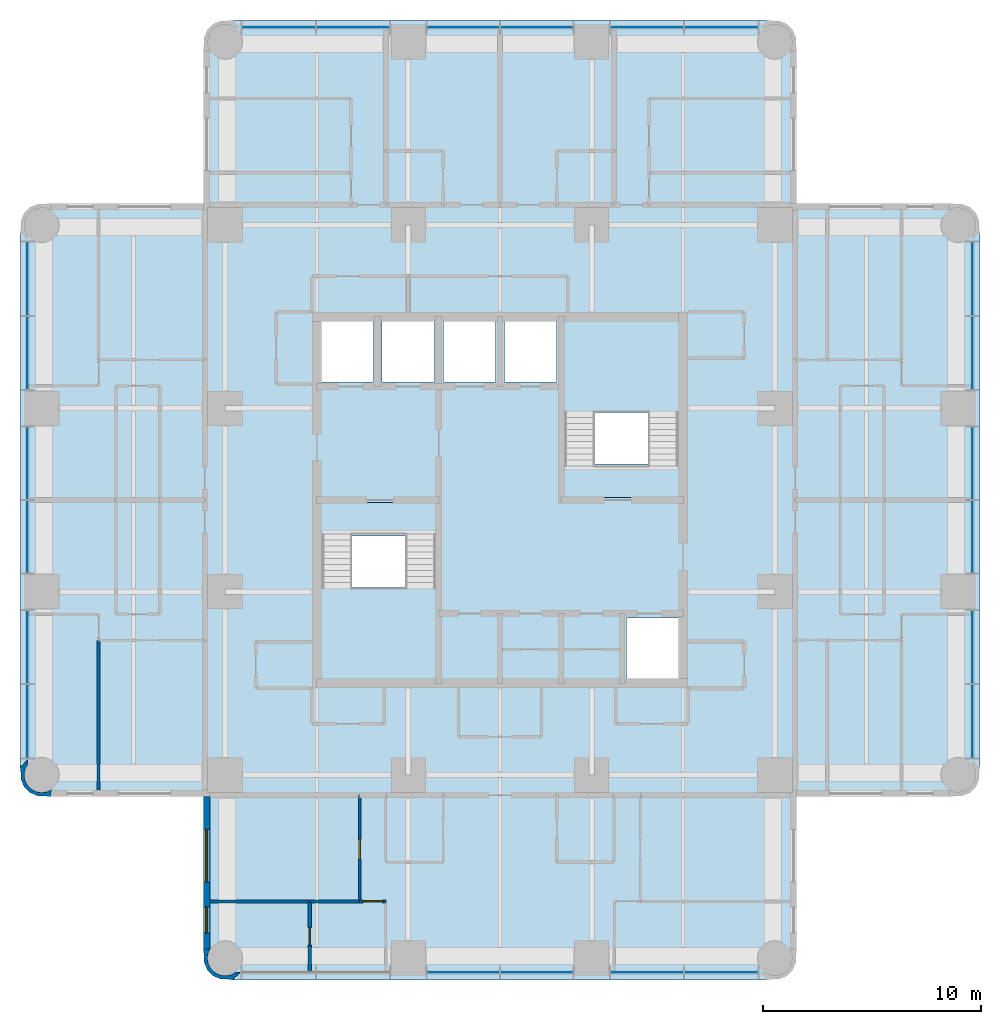
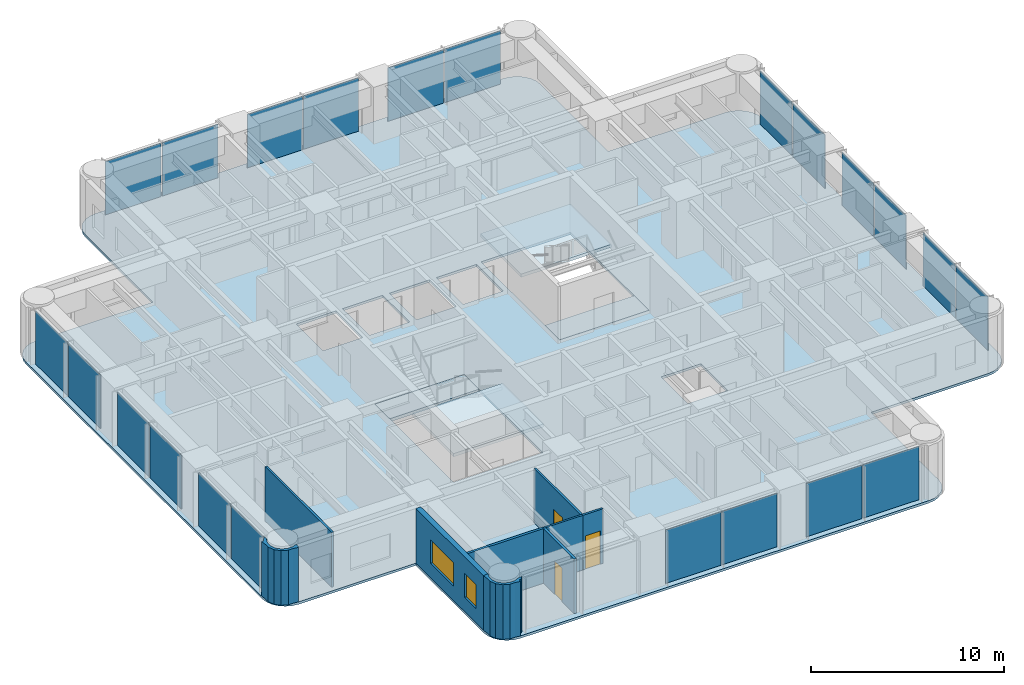
# One storey, part 3 of 10: 22 plates, 9 walls, 5 slabs, 3 doors, 2 windows, 5 openings, 6 elements without a shape of their own.
"""IFC4 building model written with IfcOpenShell, lengths in metres."""

from ifc_helpers import new_model, si_unit, direction, frame, frame_2d, origin, origin_2d, place, context, subcontext, project, spatial, polyline, rectangle, outline, extrude, material, layer, layer_set, type_object, element, fill, aggregate, save


model = new_model("IFC4")

# Units and contexts
model_context = context("Model", 3, precision=1e-05, world=origin(), true_north=direction((0.0, 1.0)))
body_context = subcontext(model_context, "Body", "Model", "MODEL_VIEW")
ifc_project = project(units=[si_unit("LENGTHUNIT", "METRE"), si_unit("AREAUNIT", "SQUARE_METRE"), si_unit("VOLUMEUNIT", "CUBIC_METRE"), si_unit("PLANEANGLEUNIT", "RADIAN"), si_unit("MASSUNIT", "GRAM", prefix="KILO")], contexts=[model_context])

# Site, building, storey
site_placement = place(None, origin())
site = spatial("IfcSite", under=ifc_project, at=site_placement, CompositionType="ELEMENT")
building_placement = place(site_placement, origin())
building = spatial("IfcBuilding", under=site, at=building_placement, Name="Torre Alcanfor", CompositionType="ELEMENT")
storey_placement = place(building_placement, frame((0.0, 0.0, 257.699951171875)))
storey = spatial("IfcBuildingStorey", under=building, at=storey_placement, Name="L67", CompositionType="ELEMENT", Elevation=257.699951171875)

# Curtain wall, plates
ifc_material_1 = material(Name="Aluminium and glass", Category="aluminium")
curtain_wall_type = type_object("IfcCurtainWallType", Name="CW-A unitised apartment glazing with vertical FIN", PredefinedType="NOTDEFINED", material=ifc_material_1)
curtain_wall_1_placement = place(storey_placement, origin())
curtain_wall_1 = element("IfcCurtainWall", 1, at=curtain_wall_1_placement, inside=storey, type_object=curtain_wall_type, Name="Curtain wall CW-A L67 2", PredefinedType="NOTDEFINED")
ifc_material_2 = material(Name="Glass", Category="glass")
ifc_layer_1 = layer(ifc_material_2, 0.028076171875)
ifc_layer_set_1 = layer_set([ifc_layer_1], Name="CW-A clear double glazed unit")
plate_type = type_object("IfcPlateType", Name="CW-A clear double glazed unit", PredefinedType="CURTAIN_PANEL", material=ifc_layer_set_1)
plate_1_placement = place(storey_placement, frame((7.75, 39.541259765625, 0.0), z_axis=(0.0, 0.0, 1.0), x_axis=(0.0, -1.0, 0.0)))
plate_1 = element("IfcPlate", 2, at=plate_1_placement, type_object=plate_type, Name="CW-A panel 1.1.1", PredefinedType="CURTAIN_PANEL", context=body_context, shape_type="SweptSolid", body=[
    extrude(rectangle(XDim=3.337646484375, YDim=0.028076171875, at=origin_2d()), origin(), (0.0, 0.0, 1.0), 3.385009765625),
])
plate_2_placement = place(storey_placement, frame((7.75, 36.138671875, 0.0), z_axis=(0.0, 0.0, 1.0), x_axis=(0.0, -1.0, 0.0)))
plate_2 = element("IfcPlate", 3, at=plate_2_placement, type_object=plate_type, Name="CW-A panel 1.2.1", PredefinedType="CURTAIN_PANEL", context=body_context, shape_type="SweptSolid", body=[
    extrude(rectangle(XDim=3.337646484375, YDim=0.028076171875, at=origin_2d()), origin(), (0.0, 0.0, 1.0), 3.385009765625),
])
plate_3_placement = place(storey_placement, frame((7.75, 31.081298828125, 0.0), z_axis=(0.0, 0.0, 1.0), x_axis=(0.0, -1.0, 0.0)))
plate_3 = element("IfcPlate", 4, at=plate_3_placement, type_object=plate_type, Name="CW-A panel 2.1.1", PredefinedType="CURTAIN_PANEL", context=body_context, shape_type="SweptSolid", body=[
    extrude(rectangle(XDim=3.297607421875, YDim=0.028076171875, at=origin_2d()), origin(), (0.0, 0.0, 1.0), 3.385009765625),
])
plate_4_placement = place(storey_placement, frame((7.75, 27.71875, 0.0), z_axis=(0.0, 0.0, 1.0), x_axis=(0.0, -1.0, 0.0)))
plate_4 = element("IfcPlate", 5, at=plate_4_placement, type_object=plate_type, Name="CW-A panel 2.2.1", PredefinedType="CURTAIN_PANEL", context=body_context, shape_type="SweptSolid", body=[
    extrude(rectangle(XDim=3.297607421875, YDim=0.028076171875, at=origin_2d()), origin(), (0.0, 0.0, 1.0), 3.385009765625),
])
plate_5_placement = place(storey_placement, frame((7.75, 22.6611328125, 0.0), z_axis=(0.0, 0.0, 1.0), x_axis=(0.0, -1.0, 0.0)))
plate_5 = element("IfcPlate", 6, at=plate_5_placement, type_object=plate_type, Name="CW-A panel 3.1.1", PredefinedType="CURTAIN_PANEL", context=body_context, shape_type="SweptSolid", body=[
    extrude(rectangle(XDim=3.337646484375, YDim=0.028076171875, at=origin_2d()), origin(), (0.0, 0.0, 1.0), 3.385009765625),
])
plate_6_placement = place(storey_placement, frame((7.75, 19.2587890625, 0.0), z_axis=(0.0, 0.0, 1.0), x_axis=(0.0, -1.0, 0.0)))
plate_6 = element("IfcPlate", 7, at=plate_6_placement, type_object=plate_type, Name="CW-A panel 3.2.1", PredefinedType="CURTAIN_PANEL", context=body_context, shape_type="SweptSolid", body=[
    extrude(rectangle(XDim=3.337646484375, YDim=0.028076171875, at=origin_2d()), origin(), (0.0, 0.0, 1.0), 3.385009765625),
])
aggregate(curtain_wall_1, [plate_1, plate_2, plate_3, plate_4, plate_5, plate_6])

curtain_wall_2_placement = place(storey_placement, origin())
curtain_wall_2 = element("IfcCurtainWall", 8, at=curtain_wall_2_placement, inside=storey, type_object=curtain_wall_type, Name="Curtain wall CW-A L67 5", PredefinedType="NOTDEFINED")
plate_7_placement = place(storey_placement, frame((27.71875, 7.75, 0.0), z_axis=(0.0, 0.0, 1.0), x_axis=(1.0, 0.0, 0.0)))
plate_7 = element("IfcPlate", 9, at=plate_7_placement, type_object=plate_type, Name="CW-A panel 2.1.1", PredefinedType="CURTAIN_PANEL", context=body_context, shape_type="SweptSolid", body=[
    extrude(rectangle(XDim=3.297607421875, YDim=0.028076171875, at=origin_2d()), origin(), (0.0, 0.0, 1.0), 3.385009765625),
])
plate_8_placement = place(storey_placement, frame((31.081298828125, 7.75, 0.0), z_axis=(0.0, 0.0, 1.0), x_axis=(1.0, 0.0, 0.0)))
plate_8 = element("IfcPlate", 10, at=plate_8_placement, type_object=plate_type, Name="CW-A panel 2.2.1", PredefinedType="CURTAIN_PANEL", context=body_context, shape_type="SweptSolid", body=[
    extrude(rectangle(XDim=3.297607421875, YDim=0.028076171875, at=origin_2d()), origin(), (0.0, 0.0, 1.0), 3.385009765625),
])
plate_9_placement = place(storey_placement, frame((36.138671875, 7.75, 0.0), z_axis=(0.0, 0.0, 1.0), x_axis=(1.0, 0.0, 0.0)))
plate_9 = element("IfcPlate", 11, at=plate_9_placement, type_object=plate_type, Name="CW-A panel 3.1.1", PredefinedType="CURTAIN_PANEL", context=body_context, shape_type="SweptSolid", body=[
    extrude(rectangle(XDim=3.337646484375, YDim=0.028076171875, at=origin_2d()), origin(), (0.0, 0.0, 1.0), 3.385009765625),
])
plate_10_placement = place(storey_placement, frame((39.541259765625, 7.75, 0.0), z_axis=(0.0, 0.0, 1.0), x_axis=(1.0, 0.0, 0.0)))
plate_10 = element("IfcPlate", 12, at=plate_10_placement, type_object=plate_type, Name="CW-A panel 3.2.1", PredefinedType="CURTAIN_PANEL", context=body_context, shape_type="SweptSolid", body=[
    extrude(rectangle(XDim=3.337646484375, YDim=0.028076171875, at=origin_2d()), origin(), (0.0, 0.0, 1.0), 3.385009765625),
])
aggregate(curtain_wall_2, [plate_7, plate_8, plate_9, plate_10])

curtain_wall_3_placement = place(storey_placement, origin())
curtain_wall_3 = element("IfcCurtainWall", 13, at=curtain_wall_3_placement, inside=storey, type_object=curtain_wall_type, Name="Curtain wall CW-A L67 8", PredefinedType="NOTDEFINED")
plate_11_placement = place(storey_placement, frame((51.050048828125, 19.2587890625, 0.0), z_axis=(0.0, 0.0, 1.0), x_axis=(0.0, 1.0, 0.0)))
plate_11 = element("IfcPlate", 14, at=plate_11_placement, type_object=plate_type, Name="CW-A panel 1.1.1", PredefinedType="CURTAIN_PANEL", context=body_context, shape_type="SweptSolid", body=[
    extrude(rectangle(XDim=3.337646484375, YDim=0.028076171875, at=origin_2d()), origin(), (0.0, 0.0, 1.0), 3.385009765625),
])
plate_12_placement = place(storey_placement, frame((51.050048828125, 22.6611328125, 0.0), z_axis=(0.0, 0.0, 1.0), x_axis=(0.0, 1.0, 0.0)))
plate_12 = element("IfcPlate", 15, at=plate_12_placement, type_object=plate_type, Name="CW-A panel 1.2.1", PredefinedType="CURTAIN_PANEL", context=body_context, shape_type="SweptSolid", body=[
    extrude(rectangle(XDim=3.337646484375, YDim=0.028076171875, at=origin_2d()), origin(), (0.0, 0.0, 1.0), 3.385009765625),
])
plate_13_placement = place(storey_placement, frame((51.050048828125, 27.71875, 0.0), z_axis=(0.0, 0.0, 1.0), x_axis=(0.0, 1.0, 0.0)))
plate_13 = element("IfcPlate", 16, at=plate_13_placement, type_object=plate_type, Name="CW-A panel 2.1.1", PredefinedType="CURTAIN_PANEL", context=body_context, shape_type="SweptSolid", body=[
    extrude(rectangle(XDim=3.297607421875, YDim=0.028076171875, at=origin_2d()), origin(), (0.0, 0.0, 1.0), 3.385009765625),
])
plate_14_placement = place(storey_placement, frame((51.050048828125, 31.081298828125, 0.0), z_axis=(0.0, 0.0, 1.0), x_axis=(0.0, 1.0, 0.0)))
plate_14 = element("IfcPlate", 17, at=plate_14_placement, type_object=plate_type, Name="CW-A panel 2.2.1", PredefinedType="CURTAIN_PANEL", context=body_context, shape_type="SweptSolid", body=[
    extrude(rectangle(XDim=3.297607421875, YDim=0.028076171875, at=origin_2d()), origin(), (0.0, 0.0, 1.0), 3.385009765625),
])
plate_15_placement = place(storey_placement, frame((51.050048828125, 36.138671875, 0.0), z_axis=(0.0, 0.0, 1.0), x_axis=(0.0, 1.0, 0.0)))
plate_15 = element("IfcPlate", 18, at=plate_15_placement, type_object=plate_type, Name="CW-A panel 3.1.1", PredefinedType="CURTAIN_PANEL", context=body_context, shape_type="SweptSolid", body=[
    extrude(rectangle(XDim=3.337646484375, YDim=0.028076171875, at=origin_2d()), origin(), (0.0, 0.0, 1.0), 3.385009765625),
])
plate_16_placement = place(storey_placement, frame((51.050048828125, 39.541259765625, 0.0), z_axis=(0.0, 0.0, 1.0), x_axis=(0.0, 1.0, 0.0)))
plate_16 = element("IfcPlate", 19, at=plate_16_placement, type_object=plate_type, Name="CW-A panel 3.2.1", PredefinedType="CURTAIN_PANEL", context=body_context, shape_type="SweptSolid", body=[
    extrude(rectangle(XDim=3.337646484375, YDim=0.028076171875, at=origin_2d()), origin(), (0.0, 0.0, 1.0), 3.385009765625),
])
aggregate(curtain_wall_3, [plate_11, plate_12, plate_13, plate_14, plate_15, plate_16])

curtain_wall_4_placement = place(storey_placement, origin())
curtain_wall_4 = element("IfcCurtainWall", 20, at=curtain_wall_4_placement, inside=storey, type_object=curtain_wall_type, Name="Curtain wall CW-A L67 11", PredefinedType="NOTDEFINED")
plate_17_placement = place(storey_placement, frame((39.541259765625, 51.050048828125, 0.0), z_axis=(0.0, 0.0, 1.0), x_axis=(-1.0, 0.0, 0.0)))
plate_17 = element("IfcPlate", 21, at=plate_17_placement, type_object=plate_type, Name="CW-A panel 1.1.1", PredefinedType="CURTAIN_PANEL", context=body_context, shape_type="SweptSolid", body=[
    extrude(rectangle(XDim=3.337646484375, YDim=0.028076171875, at=origin_2d()), origin(), (0.0, 0.0, 1.0), 3.385009765625),
])
plate_18_placement = place(storey_placement, frame((36.138671875, 51.050048828125, 0.0), z_axis=(0.0, 0.0, 1.0), x_axis=(-1.0, 0.0, 0.0)))
plate_18 = element("IfcPlate", 22, at=plate_18_placement, type_object=plate_type, Name="CW-A panel 1.2.1", PredefinedType="CURTAIN_PANEL", context=body_context, shape_type="SweptSolid", body=[
    extrude(rectangle(XDim=3.337646484375, YDim=0.028076171875, at=origin_2d()), origin(), (0.0, 0.0, 1.0), 3.385009765625),
])
plate_19_placement = place(storey_placement, frame((31.081298828125, 51.050048828125, 0.0), z_axis=(0.0, 0.0, 1.0), x_axis=(-1.0, 0.0, 0.0)))
plate_19 = element("IfcPlate", 23, at=plate_19_placement, type_object=plate_type, Name="CW-A panel 2.1.1", PredefinedType="CURTAIN_PANEL", context=body_context, shape_type="SweptSolid", body=[
    extrude(rectangle(XDim=3.297607421875, YDim=0.028076171875, at=origin_2d()), origin(), (0.0, 0.0, 1.0), 3.385009765625),
])
plate_20_placement = place(storey_placement, frame((27.71875, 51.050048828125, 0.0), z_axis=(0.0, 0.0, 1.0), x_axis=(-1.0, 0.0, 0.0)))
plate_20 = element("IfcPlate", 24, at=plate_20_placement, type_object=plate_type, Name="CW-A panel 2.2.1", PredefinedType="CURTAIN_PANEL", context=body_context, shape_type="SweptSolid", body=[
    extrude(rectangle(XDim=3.297607421875, YDim=0.028076171875, at=origin_2d()), origin(), (0.0, 0.0, 1.0), 3.385009765625),
])
plate_21_placement = place(storey_placement, frame((22.6611328125, 51.050048828125, 0.0), z_axis=(0.0, 0.0, 1.0), x_axis=(-1.0, 0.0, 0.0)))
plate_21 = element("IfcPlate", 25, at=plate_21_placement, type_object=plate_type, Name="CW-A panel 3.1.1", PredefinedType="CURTAIN_PANEL", context=body_context, shape_type="SweptSolid", body=[
    extrude(rectangle(XDim=3.337646484375, YDim=0.028076171875, at=origin_2d()), origin(), (0.0, 0.0, 1.0), 3.385009765625),
])
plate_22_placement = place(storey_placement, frame((19.2587890625, 51.050048828125, 0.0), z_axis=(0.0, 0.0, 1.0), x_axis=(-1.0, 0.0, 0.0)))
plate_22 = element("IfcPlate", 26, at=plate_22_placement, type_object=plate_type, Name="CW-A panel 3.2.1", PredefinedType="CURTAIN_PANEL", context=body_context, shape_type="SweptSolid", body=[
    extrude(rectangle(XDim=3.337646484375, YDim=0.028076171875, at=origin_2d()), origin(), (0.0, 0.0, 1.0), 3.385009765625),
])
aggregate(curtain_wall_4, [plate_17, plate_18, plate_19, plate_20, plate_21, plate_22])

# Slab
ifc_material_3 = material(Name="Concrete f'c 35 MPa", Category="concrete")
ifc_layer_2 = layer(ifc_material_3, 0.14990234375)
ifc_layer_set_2 = layer_set([ifc_layer_2], Name="Composite floor 150 on metal deck")
slab_type_1 = type_object("IfcSlabType", Name="Composite floor 150 on metal deck", PredefinedType="FLOOR", material=ifc_layer_set_2)
slab_1_placement = place(storey_placement, frame((0.0, 0.0, -0.14990234375)))
element("IfcSlab", 27, at=slab_1_placement, inside=storey, type_object=slab_type_1, Name="Floor slab L67", PredefinedType="FLOOR", context=body_context, shape_type="SweptSolid", body=[
    extrude(outline(polyline([(15.800048828125, 43.0), (8.800048828125, 43.0), (8.437744140625, 42.952392578125), (8.10009765625, 42.8125), (7.81005859375, 42.58984375), (7.587646484375, 42.300048828125), (7.44775390625, 41.96240234375), (7.39990234375, 41.60009765625), (7.39990234375, 17.199951171875), (7.44775390625, 16.837646484375), (7.587646484375, 16.5), (7.81005859375, 16.210205078125), (8.10009765625, 15.987548828125), (8.437744140625, 15.84765625), (8.800048828125, 15.800048828125), (15.800048828125, 15.800048828125), (15.800048828125, 8.800048828125), (15.84765625, 8.437744140625), (15.987548828125, 8.10009765625), (16.210205078125, 7.81005859375), (16.5, 7.587646484375), (16.837646484375, 7.44775390625), (17.199951171875, 7.39990234375), (41.60009765625, 7.39990234375), (41.96240234375, 7.44775390625), (42.300048828125, 7.587646484375), (42.58984375, 7.81005859375), (42.8125, 8.10009765625), (42.952392578125, 8.437744140625), (43.0, 8.800048828125), (43.0, 15.800048828125), (50.0, 15.800048828125), (50.3623046875, 15.84765625), (50.699951171875, 15.987548828125), (50.989990234375, 16.210205078125), (51.21240234375, 16.5), (51.352294921875, 16.837646484375), (51.39990234375, 17.199951171875), (51.39990234375, 41.60009765625), (51.352294921875, 41.96240234375), (51.21240234375, 42.300048828125), (50.989990234375, 42.58984375), (50.699951171875, 42.8125), (50.3623046875, 42.952392578125), (50.0, 43.0), (43.0, 43.0), (43.0, 50.0), (42.952392578125, 50.3623046875), (42.8125, 50.699951171875), (42.58984375, 50.989990234375), (42.300048828125, 51.21240234375), (41.96240234375, 51.352294921875), (41.60009765625, 51.39990234375), (17.199951171875, 51.39990234375), (16.837646484375, 51.352294921875), (16.5, 51.21240234375), (16.210205078125, 50.989990234375), (15.987548828125, 50.699951171875), (15.84765625, 50.3623046875), (15.800048828125, 50.0), (15.800048828125, 43.0)]), holes=[polyline([(21.14501953125, 21.14501953125), (26.47998046875, 21.14501953125), (26.47998046875, 29.280029296875), (21.14501953125, 29.280029296875), (21.14501953125, 21.14501953125)]), polyline([(32.320068359375, 29.52001953125), (37.655029296875, 29.52001953125), (37.655029296875, 37.655029296875), (32.320068359375, 37.655029296875), (32.320068359375, 29.52001953125)]), polyline([(35.199951171875, 21.22509765625), (37.574951171875, 21.22509765625), (37.574951171875, 24.0), (35.199951171875, 24.0), (35.199951171875, 21.22509765625)]), polyline([(21.22509765625, 34.800048828125), (23.60009765625, 34.800048828125), (23.60009765625, 37.574951171875), (21.22509765625, 37.574951171875), (21.22509765625, 34.800048828125)]), polyline([(24.0, 34.800048828125), (26.39990234375, 34.800048828125), (26.39990234375, 37.574951171875), (24.0, 37.574951171875), (24.0, 34.800048828125)]), polyline([(26.800048828125, 34.800048828125), (29.199951171875, 34.800048828125), (29.199951171875, 37.574951171875), (26.800048828125, 37.574951171875), (26.800048828125, 34.800048828125)]), polyline([(29.60009765625, 34.800048828125), (32.0, 34.800048828125), (32.0, 37.574951171875), (29.60009765625, 37.574951171875), (29.60009765625, 34.800048828125)])]), origin(), (0.0, 0.0, 1.0), 0.14990234375),
])

# Stair, slabs
ifc_material_4 = material(Name="Concrete f'c 35 MPa", Category="concrete")
stair_type_1 = type_object("IfcStairType", Name="Exit stair S1 1400 wide", PredefinedType="HALF_TURN_STAIR", material=ifc_material_4)
stair_1_placement = place(storey_placement, origin())
stair_1 = element("IfcStair", 28, at=stair_1_placement, inside=storey, type_object=stair_type_1, Name="Stair S1 L67 to L68", PredefinedType="HALF_TURN_STAIR")
ifc_material_5 = material(Name="Concrete f'c 35 MPa", Category="concrete")
ifc_layer_3 = layer(ifc_material_5, 0.199951171875)
ifc_layer_set_3 = layer_set([ifc_layer_3], Name="Stair landing 200")
slab_type_2 = type_object("IfcSlabType", Name="Stair landing 200", PredefinedType="LANDING", material=ifc_layer_set_3)
slab_2_placement = place(storey_placement, frame((0.0, 0.0, -0.199951171875)))
slab_2 = element("IfcSlab", 29, at=slab_2_placement, type_object=slab_type_2, Name="S1 landing 1", PredefinedType="LANDING", context=body_context, shape_type="SweptSolid", body=[
    extrude(outline(polyline([(21.14501953125, 27.75), (26.47998046875, 27.75), (26.47998046875, 29.280029296875), (21.14501953125, 29.280029296875), (21.14501953125, 27.75)])), origin(), (0.0, 0.0, 1.0), 0.199951171875),
])
slab_3_placement = place(storey_placement, frame((0.0, 0.0, 1.60009765625)))
slab_3 = element("IfcSlab", 30, at=slab_3_placement, type_object=slab_type_2, Name="S1 landing 2", PredefinedType="LANDING", context=body_context, shape_type="SweptSolid", body=[
    extrude(outline(polyline([(21.14501953125, 21.14501953125), (26.530029296875, 21.14501953125), (26.530029296875, 25.3798828125), (21.14501953125, 25.3798828125), (21.14501953125, 21.14501953125)])), origin(), (0.0, 0.0, 1.0), 0.199951171875),
])
aggregate(stair_1, [slab_2, slab_3])

ifc_material_6 = material(Name="Concrete f'c 35 MPa", Category="concrete")
stair_type_2 = type_object("IfcStairType", Name="Exit stair S2 1400 wide", PredefinedType="HALF_TURN_STAIR", material=ifc_material_6)
stair_2_placement = place(storey_placement, origin())
stair_2 = element("IfcStair", 31, at=stair_2_placement, inside=storey, type_object=stair_type_2, Name="Stair S2 L67 to L68", PredefinedType="HALF_TURN_STAIR")
slab_4_placement = place(storey_placement, frame((0.0, 0.0, -0.199951171875)))
slab_4 = element("IfcSlab", 32, at=slab_4_placement, type_object=slab_type_2, Name="S2 landing 1", PredefinedType="LANDING", context=body_context, shape_type="SweptSolid", body=[
    extrude(outline(polyline([(32.320068359375, 29.52001953125), (37.655029296875, 29.52001953125), (37.655029296875, 31.050048828125), (32.320068359375, 31.050048828125), (32.320068359375, 29.52001953125)])), origin(), (0.0, 0.0, 1.0), 0.199951171875),
])
slab_5_placement = place(storey_placement, frame((0.0, 0.0, 1.60009765625)))
slab_5 = element("IfcSlab", 33, at=slab_5_placement, type_object=slab_type_2, Name="S2 landing 2", PredefinedType="LANDING", context=body_context, shape_type="SweptSolid", body=[
    extrude(outline(polyline([(32.27001953125, 33.419921875), (37.655029296875, 33.419921875), (37.655029296875, 37.655029296875), (32.27001953125, 37.655029296875), (32.27001953125, 33.419921875)])), origin(), (0.0, 0.0, 1.0), 0.199951171875),
])
aggregate(stair_2, [slab_4, slab_5])

# Wall, opening, door
ifc_material_7 = material(Name="Gypsum board on steel studs", Category="steel")
ifc_layer_4 = layer(ifc_material_7, 0.1201171875)
ifc_layer_set_4 = layer_set([ifc_layer_4], Name="Apartment partition 120")
wall_type_1 = type_object("IfcWallType", Name="Apartment partition 120", PredefinedType="PARTITIONING", material=ifc_layer_set_4)
wall_1_placement = place(storey_placement, frame((22.970947265625, 11.0, 0.0), z_axis=(0.0, 0.0, 1.0), x_axis=(0.0, 1.0, 0.0)))
wall_1 = element("IfcWall", 34, at=wall_1_placement, inside=storey, type_object=wall_type_1, Name="Partition L67-SX-LIVING / L67-SX-BED3", PredefinedType="PARTITIONING", context=body_context, shape_type="SweptSolid", body=[
    extrude(rectangle(XDim=4.875, YDim=0.1201171875, at=frame_2d((2.4375, 0.0))), origin(), (0.0, 0.0, 1.0), 3.449951171875),
])
opening_1_placement = place(wall_1_placement, frame((1.949951171875, 0.0, 0.0)))
opening_1 = element("IfcOpeningElement", 35, at=opening_1_placement, cuts=wall_1, Name="Opening D-R1", PredefinedType="OPENING", context=body_context, shape_type="SweptSolid", body=[
    extrude(rectangle(XDim=0.89990234375, YDim=2.10009765625, at=frame_2d((0.449951171875, 1.050048828125))), frame((0.0, 0.070068359375, 0.0), z_axis=(0.0, -1.0, 0.0), x_axis=(1.0, 0.0, 0.0)), (0.0, 0.0, 1.0), 0.14013671875),
])
ifc_material_8 = material(Name="Timber", Category="wood")
door_type_1 = type_object("IfcDoorType", Name="Internal door 900x2100", OperationType="SINGLE_SWING_LEFT", PredefinedType="DOOR", material=ifc_material_8)
door_1_placement = place(opening_1_placement, origin())
door_1 = element("IfcDoor", 36, at=door_1_placement, inside=storey, type_object=door_type_1, Name="Door L67-SX bed3", OperationType="SINGLE_SWING_LEFT", OverallHeight=2.10009765625, OverallWidth=0.89990234375, PredefinedType="DOOR", context=body_context, shape_type="SweptSolid", body=[
    extrude(rectangle(XDim=0.89990234375, YDim=2.10009765625, at=frame_2d((0.449951171875, 1.050048828125))), frame((0.0, 0.02490234375, 0.0), z_axis=(0.0, -1.0, 0.0), x_axis=(1.0, 0.0, 0.0)), (0.0, 0.0, 1.0), 0.050048828125),
])
fill(opening_1, door_1)

wall_2_placement = place(storey_placement, frame((24.1708984375, 11.0, 0.0), z_axis=(0.0, 0.0, 1.0), x_axis=(-1.0, 0.0, 0.0)))
wall_2 = element("IfcWall", 37, at=wall_2_placement, inside=storey, type_object=wall_type_1, Name="Partition L67-SX-LIVING / L67-SX-BED1", PredefinedType="PARTITIONING", context=body_context, shape_type="SweptSolid", body=[
    extrude(rectangle(XDim=1.199951171875, YDim=0.1201171875, at=frame_2d((0.60009765625, 0.0))), origin(), (0.0, 0.0, 1.0), 3.449951171875),
])
opening_2_placement = place(wall_2_placement, frame((0.15087890625, 0.0, 0.0)))
opening_2 = element("IfcOpeningElement", 38, at=opening_2_placement, cuts=wall_2, Name="Opening D-R1", PredefinedType="OPENING", context=body_context, shape_type="SweptSolid", body=[
    extrude(rectangle(XDim=0.89990234375, YDim=2.10009765625, at=frame_2d((0.449951171875, 1.050048828125))), frame((0.0, 0.070068359375, 0.0), z_axis=(0.0, -1.0, 0.0), x_axis=(1.0, 0.0, 0.0)), (0.0, 0.0, 1.0), 0.14013671875),
])
door_2_placement = place(opening_2_placement, origin())
door_2 = element("IfcDoor", 39, at=door_2_placement, inside=storey, type_object=door_type_1, Name="Door L67-SX bed1", OperationType="SINGLE_SWING_LEFT", OverallHeight=2.10009765625, OverallWidth=0.89990234375, PredefinedType="DOOR", context=body_context, shape_type="SweptSolid", body=[
    extrude(rectangle(XDim=0.89990234375, YDim=2.10009765625, at=frame_2d((0.449951171875, 1.050048828125))), frame((0.0, 0.02490234375, 0.0), z_axis=(0.0, -1.0, 0.0), x_axis=(1.0, 0.0, 0.0)), (0.0, 0.0, 1.0), 0.050048828125),
])
fill(opening_2, door_2)

# Walls
wall_3_placement = place(storey_placement, frame((20.68603515625, 11.0, 0.0), z_axis=(0.0, 0.0, 1.0), x_axis=(1.0, 0.0, 0.0)))
element("IfcWall", 40, at=wall_3_placement, inside=storey, type_object=wall_type_1, Name="Partition L67-SX-BED3 / L67-SX-BED1", PredefinedType="PARTITIONING", context=body_context, shape_type="SweptSolid", body=[
    extrude(rectangle(XDim=2.284912109375, YDim=0.1201171875, at=frame_2d((1.142578125, 0.0))), origin(), (0.0, 0.0, 1.0), 3.449951171875),
])
wall_4_placement = place(storey_placement, frame((11.0, 22.970947265625, 0.0), z_axis=(0.0, 0.0, 1.0), x_axis=(0.0, -1.0, 0.0)))
element("IfcWall", 41, at=wall_4_placement, inside=storey, type_object=wall_type_1, Name="Partition L67-W1-BED2 / L67-W1-MASTER", PredefinedType="PARTITIONING", context=body_context, shape_type="SweptSolid", body=[
    extrude(rectangle(XDim=6.870849609375, YDim=0.1201171875, at=frame_2d((3.435546875, 0.0))), origin(), (0.0, 0.0, 1.0), 3.449951171875),
])

# Wall, openings, windows
ifc_material_9 = material(Name="Limestone cladding", Category="masonry")
ifc_layer_5 = layer(ifc_material_9, 0.0400390625, Name="Facing")
ifc_material_10 = material(Name="Ventilated air cavity")
ifc_layer_6 = layer(ifc_material_10, 0.02001953125, ventilated=True, Name="Ventilated joint")
ifc_material_11 = material(Name="Mineral wool insulation", Category="insulation")
ifc_layer_7 = layer(ifc_material_11, 0.10009765625, Name="Insulation")
ifc_material_12 = material(Name="Concrete f'c 35 MPa", Category="concrete")
ifc_layer_8 = layer(ifc_material_12, 0.139892578125, Name="Backing")
ifc_layer_set_5 = layer_set([ifc_layer_5, ifc_layer_6, ifc_layer_7, ifc_layer_8], Name="External wall stone-clad 300")
wall_type_2 = type_object("IfcWallType", Name="External wall stone-clad 300", PredefinedType="SOLIDWALL", material=ifc_layer_set_5)
wall_5_placement = place(storey_placement, frame((15.949951171875, 15.800048828125, 0.0), z_axis=(0.0, 0.0, 1.0), x_axis=(0.0, -1.0, 0.0)))
wall_5 = element("IfcWall", 42, at=wall_5_placement, inside=storey, type_object=wall_type_2, Name="External wall L67 4", PredefinedType="SOLIDWALL", context=body_context, shape_type="SweptSolid", body=[
    extrude(rectangle(XDim=7.0, YDim=0.300048828125, at=frame_2d((3.5, 0.0))), origin(), (0.0, 0.0, 1.0), 3.449951171875),
])
opening_3_placement = place(wall_5_placement, frame((1.5, 0.0, 0.89990234375)))
opening_3 = element("IfcOpeningElement", 43, at=opening_3_placement, cuts=wall_5, Name="Opening W1", PredefinedType="OPENING", context=body_context, shape_type="SweptSolid", body=[
    extrude(rectangle(XDim=2.39990234375, YDim=1.5, at=frame_2d((1.199951171875, 0.75))), frame((0.0, 0.159912109375, 0.0), z_axis=(0.0, -1.0, 0.0), x_axis=(1.0, 0.0, 0.0)), (0.0, 0.0, 1.0), 0.320068359375),
])
opening_4_placement = place(wall_5_placement, frame((5.050048828125, 0.0, 0.89990234375)))
opening_4 = element("IfcOpeningElement", 44, at=opening_4_placement, cuts=wall_5, Name="Opening W4", PredefinedType="OPENING", context=body_context, shape_type="SweptSolid", body=[
    extrude(rectangle(XDim=1.199951171875, YDim=1.5, at=frame_2d((0.60009765625, 0.75))), frame((0.0, 0.159912109375, 0.0), z_axis=(0.0, -1.0, 0.0), x_axis=(1.0, 0.0, 0.0)), (0.0, 0.0, 1.0), 0.320068359375),
])
ifc_material_13 = material(Name="Aluminium frame with clear double glazing", Category="aluminium")
window_type_1 = type_object("IfcWindowType", Name="Window bedroom 1200x1500", PartitioningType="SINGLE_PANEL", PredefinedType="WINDOW", material=ifc_material_13)
window_1_placement = place(opening_4_placement, origin())
window_1 = element("IfcWindow", 45, at=window_1_placement, inside=storey, type_object=window_type_1, Name="Window W4 L67-S2", OverallHeight=1.5, OverallWidth=1.199951171875, PartitioningType="SINGLE_PANEL", PredefinedType="WINDOW", context=body_context, shape_type="SweptSolid", body=[
    extrude(rectangle(XDim=1.199951171875, YDim=1.5, at=frame_2d((0.60009765625, 0.75))), frame((0.0, 0.030029296875, 0.0), z_axis=(0.0, -1.0, 0.0), x_axis=(1.0, 0.0, 0.0)), (0.0, 0.0, 1.0), 0.06005859375),
])
fill(opening_4, window_1)
ifc_material_14 = material(Name="Aluminium frame with clear double glazing", Category="aluminium")
window_type_2 = type_object("IfcWindowType", Name="Window bedroom 2400x1500", PartitioningType="SINGLE_PANEL", PredefinedType="WINDOW", material=ifc_material_14)
window_2_placement = place(opening_3_placement, origin())
window_2 = element("IfcWindow", 46, at=window_2_placement, inside=storey, type_object=window_type_2, Name="Window W1 L67-S2", OverallHeight=1.5, OverallWidth=2.39990234375, PartitioningType="SINGLE_PANEL", PredefinedType="WINDOW", context=body_context, shape_type="SweptSolid", body=[
    extrude(rectangle(XDim=2.39990234375, YDim=1.5, at=frame_2d((1.199951171875, 0.75))), frame((0.0, 0.030029296875, 0.0), z_axis=(0.0, -1.0, 0.0), x_axis=(1.0, 0.0, 0.0)), (0.0, 0.0, 1.0), 0.06005859375),
])
fill(opening_3, window_2)

# Walls
ifc_layer_9 = layer(ifc_material_9, 0.0400390625, Name="Facing")
ifc_layer_10 = layer(ifc_material_10, 0.02001953125, ventilated=True, Name="Ventilated joint")
ifc_layer_11 = layer(ifc_material_11, 0.10009765625, Name="Insulation")
ifc_layer_12 = layer(ifc_material_12, 0.139892578125, Name="Backing")
ifc_layer_set_6 = layer_set([ifc_layer_9, ifc_layer_10, ifc_layer_11, ifc_layer_12], Name="Rounded corner pier stone-clad 300")
wall_type_3 = type_object("IfcWallType", Name="Rounded corner pier stone-clad 300", PredefinedType="SOLIDWALL", material=ifc_layer_set_6)
wall_6_placement = place(storey_placement, frame((7.804682488, 17.448071802, 0.0), z_axis=(0.0, 0.0, 1.0), x_axis=(-0.93923434088, -0.343276641956, 0.0)))
element("IfcWall", 47, at=wall_6_placement, inside=storey, type_object=wall_type_3, Name="Corner pier L67 14", PredefinedType="SOLIDWALL", context=body_context, shape_type="SweptSolid", body=[
    extrude(outline(polyline([(-0.3691544560628778, 1.8895657863759494), (-0.509301662163068, 1.6213264824345213), (-0.4904986309247569, 1.6144542449734884), (-0.4793907171329685, 1.6085749116907953), (-0.21136280642588806, 1.6200475352076344), (0.08788055657406396, 1.5106783902485166), (0.3226026197490389, 1.2951828906640932), (0.456896798485966, 1.0061795612800153), (0.4702479473873299, 0.6878173397378377), (0.360878802428212, 0.38857397673788563), (0.1453833028437888, 0.1538519135629107), (0.1081228519264483, 0.13653771283734806), (0.030935892150703026, -0.07465243070514684), (0.2410347372392363, 0.022976381789412317), (0.33343468178012037, 0.12359233707655713), (0.465357428695086, 0.09409184784547728), (0.5320082369687645, 0.39309206496826327), (0.6306499868667583, 0.6629843548157295), (0.6143983700307079, 1.0445313106513174), (0.4534781515225373, 1.390834325059541), (0.17224910106324365, 1.6490611032510325), (-0.09741388352521885, 1.747619045375111), (-0.3691544560628778, 1.8895657863759494)])), origin(), (0.0, 0.0, 1.0), 3.449951171875),
])
wall_7_placement = place(storey_placement, frame((15.982940512, 8.726823795, 0.0), z_axis=(0.0, 0.0, 1.0), x_axis=(-0.343276641956, -0.93923434088, 0.0)))
element("IfcWall", 48, at=wall_7_placement, inside=storey, type_object=wall_type_3, Name="Corner pier L67 15", PredefinedType="SOLIDWALL", context=body_context, shape_type="SweptSolid", body=[
    extrude(outline(polyline([(0.8285188621172053, 1.5985593448955209), (0.6965961152022397, 1.5690588556644411), (0.6041961706613557, 1.669674810951586), (0.3940973255728224, 1.767303623446145), (0.47128428534856764, 1.55611347990365), (0.5085447362659081, 1.5387992791780876), (0.7240402358503313, 1.3040772160031127), (0.8334093808094493, 1.0048338530031606), (0.8200582319080854, 0.6864716314609828), (0.6857640531711582, 0.3974683020769049), (0.4510419899961833, 0.18197280249248177), (0.15179862699623123, 0.07260365753336384), (-0.11622928371084919, 0.08407628105020303), (-0.1273371975026375, 0.0781969477675098), (-0.14614022874094865, 0.07132471030647711), (-0.0059930226407584886, -0.19691459363495123), (0.26574754989690047, -0.054967852634112954), (0.535410534485363, 0.043590089489965705), (0.8166395849446566, 0.30181686768145743), (0.9775598034528271, 0.6481198820896807), (0.9938114202888776, 1.0296668379252687), (0.8951696703908839, 1.299559127772735), (0.8285188621172053, 1.5985593448955209)])), origin(), (0.0, 0.0, 1.0), 3.449951171875),
])
ifc_material_15 = material(Name="Cement board on steel studs", Category="steel")
ifc_layer_13 = layer(ifc_material_15, 0.14990234375)
ifc_layer_set_7 = layer_set([ifc_layer_13], Name="Wet area partition 150")
wall_type_4 = type_object("IfcWallType", Name="Wet area partition 150", PredefinedType="PARTITIONING", material=ifc_layer_set_7)
wall_8_placement = place(storey_placement, frame((16.10009765625, 11.0, 0.0), z_axis=(0.0, 0.0, 1.0), x_axis=(1.0, 0.0, 0.0)))
element("IfcWall", 49, at=wall_8_placement, inside=storey, type_object=wall_type_4, Name="Partition L67-SX-BED3 / L67-SX-BATH1", PredefinedType="PARTITIONING", context=body_context, shape_type="SweptSolid", body=[
    extrude(rectangle(XDim=4.5859375, YDim=0.14990234375, at=frame_2d((2.29296875, 0.0))), origin(), (0.0, 0.0, 1.0), 3.449951171875),
])

# Wall, opening, door
wall_9_placement = place(storey_placement, frame((20.68603515625, 7.75, 0.0), z_axis=(0.0, 0.0, 1.0), x_axis=(0.0, 1.0, 0.0)))
wall_9 = element("IfcWall", 50, at=wall_9_placement, inside=storey, type_object=wall_type_4, Name="Partition L67-SX-BATH1 / L67-SX-BED1", PredefinedType="PARTITIONING", context=body_context, shape_type="SweptSolid", body=[
    extrude(rectangle(XDim=3.25, YDim=0.14990234375, at=frame_2d((1.625, 0.0))), origin(), (0.0, 0.0, 1.0), 3.449951171875),
])
opening_5_placement = place(wall_9_placement, frame((1.25, 0.0, 0.0)))
opening_5 = element("IfcOpeningElement", 51, at=opening_5_placement, cuts=wall_9, Name="Opening D-R2", PredefinedType="OPENING", context=body_context, shape_type="SweptSolid", body=[
    extrude(rectangle(XDim=0.800048828125, YDim=2.10009765625, at=frame_2d((0.39990234375, 1.050048828125))), frame((0.0, 0.0849609375, 0.0), z_axis=(0.0, -1.0, 0.0), x_axis=(1.0, 0.0, 0.0)), (0.0, 0.0, 1.0), 0.169921875),
])
ifc_material_16 = material(Name="Timber", Category="wood")
door_type_2 = type_object("IfcDoorType", Name="Bathroom door 800x2100", OperationType="SINGLE_SWING_LEFT", PredefinedType="DOOR", material=ifc_material_16)
door_3_placement = place(opening_5_placement, frame((0.800048828125, 0.0, 0.0), z_axis=(0.0, 0.0, 1.0), x_axis=(-1.0, 0.0, 0.0)))
door_3 = element("IfcDoor", 52, at=door_3_placement, inside=storey, type_object=door_type_2, Name="Door L67-SX bath1", OperationType="SINGLE_SWING_LEFT", OverallHeight=2.10009765625, OverallWidth=0.800048828125, PredefinedType="DOOR", context=body_context, shape_type="SweptSolid", body=[
    extrude(rectangle(XDim=0.800048828125, YDim=2.10009765625, at=frame_2d((0.400146484375, 1.050048828125))), frame((0.0, 0.025146484375, 0.0), z_axis=(0.0, -1.0, 0.0), x_axis=(1.0, 0.0, 0.0)), (0.0, 0.0, 1.0), 0.050048828125),
])
fill(opening_5, door_3)

save(model, "model.ifc")
